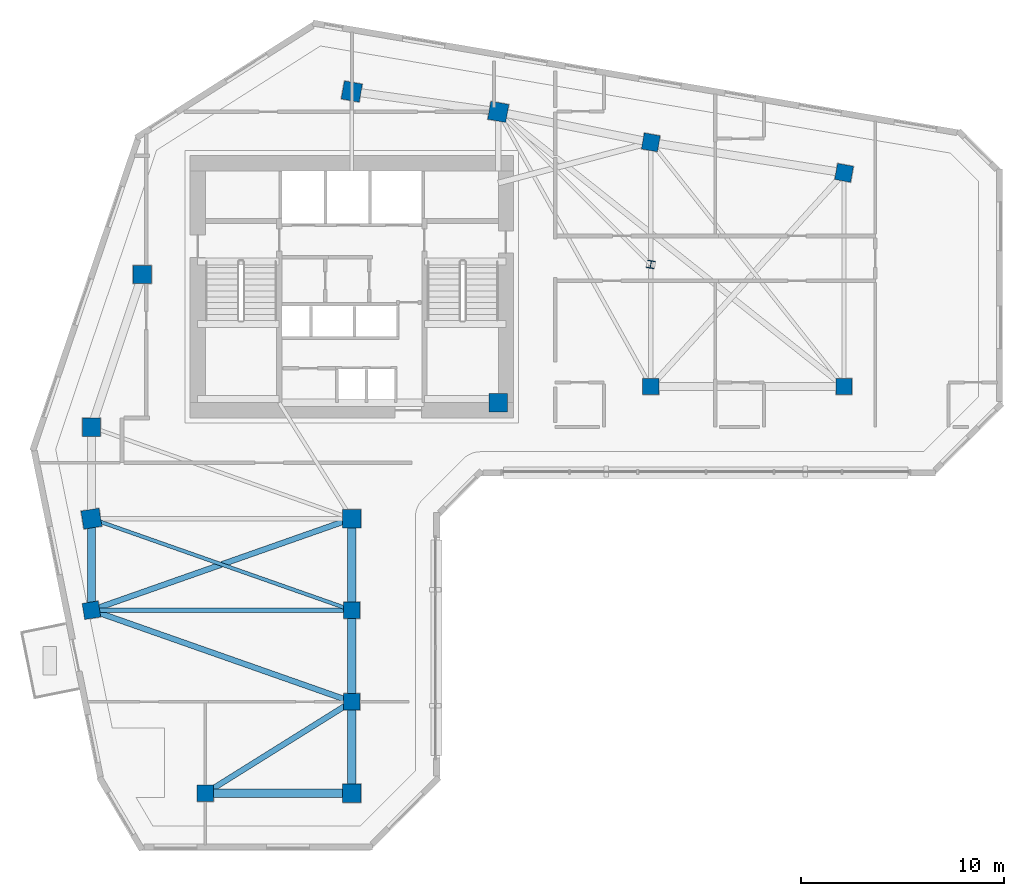
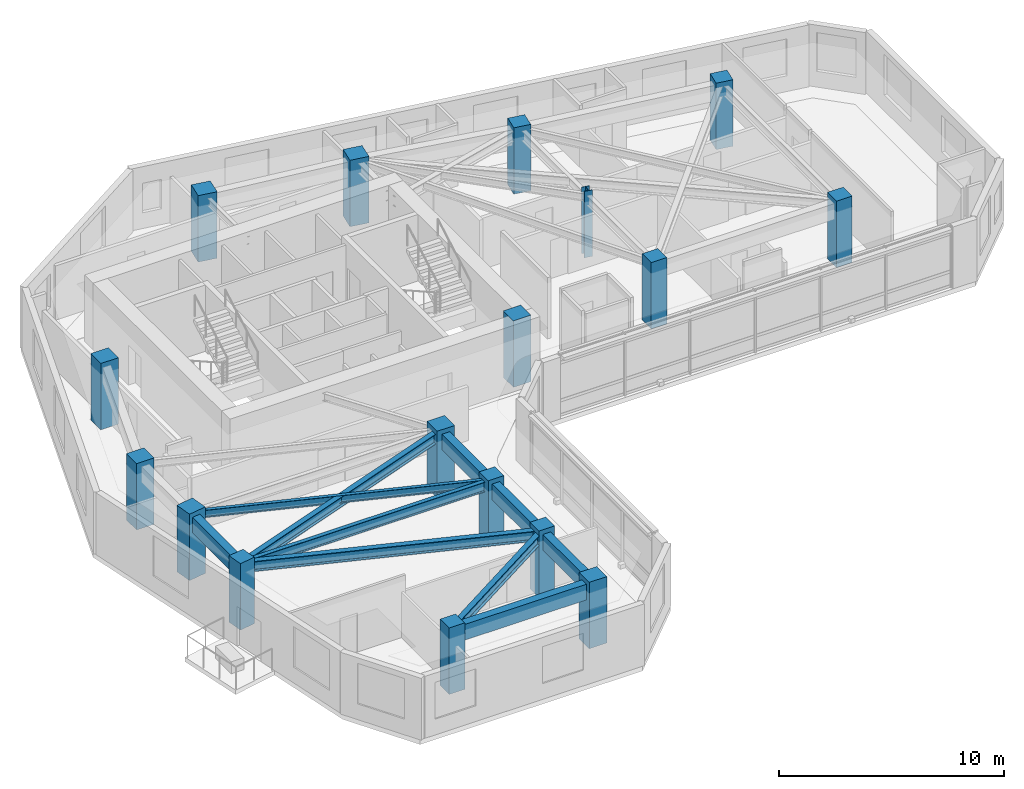
# One storey, part 1 of 11: 17 columns, 10 beams.
"""IFC4 building model written with IfcOpenShell, lengths in metres."""

import ifcopenshell
import ifcopenshell.guid

model = None  # the IFC model being written
_history = None  # IfcOwnerHistory: only IFC2X3 demands one
_inside = {}  # id of a spatial element -> (the spatial element, [elements in it])
_under = {}  # id of a project, library or spatial element -> (it, [spatial elements below it])
_declared = {}  # id of a project -> (the project, [libraries it declares])
_typed = {}  # id of a type object -> (the type object, [elements of that type])
_made_of = {}  # id of a material, layer set ... -> (it, [elements and type objects made of it])


def new_model(schema):
    """Start an empty IFC model of exactly this schema.

    Asked for "IFC4X3", IfcOpenShell would pick the latest addendum, in which some entities
    have other attributes; the version numbers below select the first issue.
    IFC2X3 requires an IfcOwnerHistory on every rooted entity: one is made here for all.
    """
    global model, _history
    if schema == "IFC4X3":
        model = ifcopenshell.file(schema_version=(4, 3, 0, 0))
    else:
        model = ifcopenshell.file(schema=schema)
    _inside.clear()
    _under.clear()
    _declared.clear()
    _typed.clear()
    _made_of.clear()
    _history = None
    if model.schema == "IFC2X3":
        org = make("IfcOrganization", Name="unknown")
        user = make(
            "IfcPersonAndOrganization",
            ThePerson=make("IfcPerson", FamilyName="unknown"),
            TheOrganization=org,
        )
        app = make(
            "IfcApplication",
            ApplicationDeveloper=org,
            Version="unknown",
            ApplicationFullName="unknown",
            ApplicationIdentifier="unknown",
        )
        _history = make(
            "IfcOwnerHistory",
            OwningUser=user,
            OwningApplication=app,
            ChangeAction="ADDED",
            CreationDate=0,
        )
    return model


def make(cls, **values):
    """One entity of the class cls with the attributes given. An attribute that is None is left unset."""
    return model.create_entity(
        cls, **{name: value for name, value in values.items() if value is not None}
    )


def rooted(cls, **values):
    """An entity with a GlobalId (a new one), such as an element, a storey or a relation."""
    return make(cls, GlobalId=ifcopenshell.guid.new(), OwnerHistory=_history, **values)


def si_unit(unit_type, name, prefix=None):
    """IfcSIUnit, for example si_unit("LENGTHUNIT", "METRE", prefix="MILLI")."""
    return make("IfcSIUnit", UnitType=unit_type, Prefix=prefix, Name=name)


def assignment(units):
    """IfcUnitAssignment: the units of a project."""
    return None if units is None else make("IfcUnitAssignment", Units=units)


def point(xyz):
    """IfcCartesianPoint."""
    return None if xyz is None else make("IfcCartesianPoint", Coordinates=xyz)


def direction(xyz):
    """IfcDirection."""
    return None if xyz is None else make("IfcDirection", DirectionRatios=xyz)


def frame(location, z_axis=None, x_axis=None):
    """IfcAxis2Placement3D, a coordinate frame: its origin and axes. An axis left out is left unset."""
    return make(
        "IfcAxis2Placement3D",
        Location=point(location),
        Axis=direction(z_axis),
        RefDirection=direction(x_axis),
    )


def frame_2d(location, x_axis=None):
    """IfcAxis2Placement2D, a coordinate frame in the plane: its origin and x axis."""
    return make(
        "IfcAxis2Placement2D", Location=point(location), RefDirection=direction(x_axis)
    )


def origin():
    """The frame at (0, 0, 0) with its axes left unset."""
    return frame((0.0, 0.0, 0.0))


def origin_2d():
    """The frame at (0, 0) in the plane with its x axis left unset."""
    return frame_2d((0.0, 0.0))


def place(relative_to, where):
    """IfcLocalPlacement: puts the frame where relative to a parent placement (None: the world)."""
    return make(
        "IfcLocalPlacement", PlacementRelTo=relative_to, RelativePlacement=where
    )


def context(
    kind, dimensions, precision=None, world=None, true_north=None, identifier=None
):
    """IfcGeometricRepresentationContext, for example the 3D "Model" context."""
    return make(
        "IfcGeometricRepresentationContext",
        ContextIdentifier=identifier,
        ContextType=kind,
        CoordinateSpaceDimension=dimensions,
        Precision=precision,
        WorldCoordinateSystem=world,
        TrueNorth=true_north,
    )


def subcontext(parent, identifier, kind, view, scale=None):
    """IfcGeometricRepresentationSubContext, for example "Body" below "Model"."""
    return make(
        "IfcGeometricRepresentationSubContext",
        ContextIdentifier=identifier,
        ContextType=kind,
        ParentContext=parent,
        TargetScale=scale,
        TargetView=view,
    )


def project(units=None, contexts=None):
    """IfcProject with its units and contexts."""
    return rooted(
        "IfcProject",
        Name="project",
        RepresentationContexts=contexts,
        UnitsInContext=assignment(units),
    )


def spatial(cls, under=None, at=None, **own):
    """A site, building, storey or space (cls), placed at a placement, below another one or the project."""
    s = rooted(cls, ObjectPlacement=at, **own)
    if under is not None:
        _under.setdefault(under.id(), (under, []))[1].append(s)
    return s


def profile(cls, at=None, kind="AREA", **sizes):
    """A parametric profile (cls). Its sizes go by their IFC names, for example OverallWidth=200.0."""
    return make(cls, ProfileType=kind, Position=at, **sizes)


def rectangle(**sizes):
    """IfcRectangleProfileDef."""
    return profile("IfcRectangleProfileDef", **sizes)


def i_section(**sizes):
    """IfcIShapeProfileDef."""
    return profile("IfcIShapeProfileDef", **sizes)


def extrude(swept, where, along, depth):
    """IfcExtrudedAreaSolid: the profile swept, set in the frame where, extruded along a direction by depth."""
    return make(
        "IfcExtrudedAreaSolid",
        SweptArea=swept,
        Position=where,
        ExtrudedDirection=direction(along),
        Depth=depth,
    )


def shape(context_of_items, identifier, shape_type, items):
    """IfcShapeRepresentation: the items that make up one representation, for example the "Body"."""
    return make(
        "IfcShapeRepresentation",
        ContextOfItems=context_of_items,
        RepresentationIdentifier=identifier,
        RepresentationType=shape_type,
        Items=items,
    )


def source(mapping_origin, context_of_items, identifier, shape_type, items):
    """IfcRepresentationMap: a shape defined once, which mapped items show again and again."""
    return make(
        "IfcRepresentationMap",
        MappingOrigin=mapping_origin,
        MappedRepresentation=shape(context_of_items, identifier, shape_type, items),
    )


def transform(
    local_origin,
    x_axis=None,
    y_axis=None,
    z_axis=None,
    scale=None,
    scale2=None,
    scale3=None,
    uniform=True,
):
    """IfcCartesianTransformationOperator3D, or its non-uniform kind. x_axis, y_axis, z_axis: its Axis1, 2, 3."""
    if uniform:
        return make(
            "IfcCartesianTransformationOperator3D",
            Axis1=direction(x_axis),
            Axis2=direction(y_axis),
            LocalOrigin=point(local_origin),
            Scale=scale,
            Axis3=direction(z_axis),
        )
    return make(
        "IfcCartesianTransformationOperator3DnonUniform",
        Axis1=direction(x_axis),
        Axis2=direction(y_axis),
        LocalOrigin=point(local_origin),
        Scale=scale,
        Axis3=direction(z_axis),
        Scale2=scale2,
        Scale3=scale3,
    )


def mapped(mapping_source, mapping_target):
    """IfcMappedItem: shows the shape of a source again, moved by a transform."""
    return make(
        "IfcMappedItem", MappingSource=mapping_source, MappingTarget=mapping_target
    )


def material(Name=None, Category=None):
    """IfcMaterial."""
    return make("IfcMaterial", Name=Name, Category=Category)


def material_profile(
    of_material, cross_section, Name=None, Category=None, Priority=None
):
    """IfcMaterialProfile: a cross section and its material."""
    return make(
        "IfcMaterialProfile",
        Name=Name,
        Material=of_material,
        Profile=cross_section,
        Priority=Priority,
        Category=Category,
    )


def profile_set(profiles, Name=None, composite=None):
    """IfcMaterialProfileSet."""
    return make(
        "IfcMaterialProfileSet",
        Name=Name,
        MaterialProfiles=profiles,
        CompositeProfile=composite,
    )


def made_of(thing, what):
    """Note that an element or type object is made of a material, layer set ...; save() writes the relation."""
    if what is not None:
        _made_of.setdefault(what.id(), (what, []))[1].append(thing)
    return thing


def type_object(cls, material=None, **own):
    """A type object (cls), such as IfcWallType, which elements share."""
    return made_of(rooted(cls, **own), material)


def element(
    cls,
    number,
    at=None,
    inside=None,
    cuts=None,
    type_object=None,
    material=None,
    context=None,
    identifier="Body",
    shape_type=None,
    held_by="IfcProductDefinitionShape",
    body=None,
    shapes=None,
    **own,
):
    """One element of the class cls, such as IfcWall. Its Tag is "e" and its number.

    at: its placement. inside: the storey or other place that contains it. cuts: it is an
    opening in that element (IfcRelVoidsElement). A single representation is given by context,
    identifier, shape_type and body (its items); several are given by shapes. held_by: the class
    of the entity that holds the representations. save() writes the other relations.
    """
    e = rooted(cls, Tag="e%d" % number, ObjectPlacement=at, **own)
    if body is not None:
        shapes = [shape(context, identifier, shape_type, body)]
    if shapes is not None:
        e.Representation = make(held_by, Representations=shapes)
    if inside is not None:
        _inside.setdefault(inside.id(), (inside, []))[1].append(e)
    if cuts is not None:
        rooted(
            "IfcRelVoidsElement", RelatingBuildingElement=cuts, RelatedOpeningElement=e
        )
    if type_object is not None:
        _typed.setdefault(type_object.id(), (type_object, []))[1].append(e)
    return made_of(e, material)


def aggregate(whole, parts):
    """IfcRelAggregates: a whole, such as a stair, and the parts it consists of."""
    return rooted("IfcRelAggregates", RelatingObject=whole, RelatedObjects=parts)


def save(model, path):
    """Write the relations noted so far, then the file.

    IfcRelAggregates (storeys below a building ...), IfcRelContainedInSpatialStructure (elements
    in a storey), IfcRelDefinesByType, IfcRelAssociatesMaterial and IfcRelDeclares: one each for
    every whole, place, type object, material and project.
    """
    for whole, parts in _under.values():
        aggregate(whole, parts)
    for where, things in _inside.values():
        rooted(
            "IfcRelContainedInSpatialStructure",
            RelatedElements=things,
            RelatingStructure=where,
        )
    for kind, things in _typed.values():
        rooted("IfcRelDefinesByType", RelatedObjects=things, RelatingType=kind)
    for what, things in _made_of.values():
        rooted("IfcRelAssociatesMaterial", RelatedObjects=things, RelatingMaterial=what)
    for by, libraries in _declared.values():
        rooted("IfcRelDeclares", RelatingContext=by, RelatedDefinitions=libraries)
    model.write(path)


model = new_model("IFC4")

# Units and contexts
model_context = context("Model", 3, precision=1e-05, world=origin(), true_north=direction((0.0, 1.0)))
body_context = subcontext(model_context, "Body", "Model", "MODEL_VIEW")
ifc_project = project(units=[si_unit("LENGTHUNIT", "METRE"), si_unit("AREAUNIT", "SQUARE_METRE"), si_unit("VOLUMEUNIT", "CUBIC_METRE"), si_unit("PLANEANGLEUNIT", "RADIAN"), si_unit("MASSUNIT", "GRAM", prefix="KILO")], contexts=[model_context])

# Site, building, storey
site_placement = place(None, origin())
site = spatial("IfcSite", under=ifc_project, at=site_placement, CompositionType="ELEMENT")
building_placement = place(site_placement, origin())
building = spatial("IfcBuilding", under=site, at=building_placement, Name="Calvemar Wedge Station Tower", CompositionType="ELEMENT")
storey_placement = place(building_placement, frame((0.0, 0.0, 157.39990234375)))
storey = spatial("IfcBuildingStorey", under=building, at=storey_placement, Name="L39", CompositionType="ELEMENT", Elevation=157.39990234375)

# Columns
ifc_material_1 = material(Name="Concrete C60", Category="concrete")
ifc_material_profile_1 = material_profile(ifc_material_1, rectangle(XDim=0.89990234375, YDim=0.89990234375, at=origin_2d()), Name="RC900x900")
ifc_profile_set_1 = profile_set([ifc_material_profile_1], Name="Concrete C60")
column_type_1 = type_object("IfcColumnType", Name="COL-C5-900", PredefinedType="COLUMN", material=ifc_profile_set_1)
shared_shape_1 = source(origin(), body_context, "Body", "SweptSolid", [
    extrude(rectangle(XDim=0.89990234375, YDim=0.89990234375, at=origin_2d()), origin(), (0.0, 0.0, 1.0), 3.60009765625),
])
for number, where, z_axis, x_axis, name in (
    (1, (11.0, 33.0, 0.0), (0.0, 0.0, 1.0), (1.0, 0.0, 0.0), "Storey L39 Column T-NW1"),
    (2, (13.5, 40.5, 0.0), (0.0, 0.0, 1.0), (1.0, 0.0, 0.0), "Storey L39 Column T-NW2"),
    (3, (23.800048828125, 49.5, 0.0), (0.0, 0.0, 1.0), (0.984195607969, -0.17708474032, 0.0), "Storey L39 Column T-N1"),
    (4, (31.0, 48.5, 0.0), (0.0, 0.0, 1.0), (0.984195607969, -0.17708474032, 0.0), "Storey L39 Column T-N2"),
    (5, (31.0, 34.199951171875, 0.0), (0.0, 0.0, 1.0), (1.0, 0.0, 0.0), "Storey L39 Column T-NL1"),
    (6, (11.0, 28.5, 0.0), (0.0, 0.0, 1.0), (0.158158067254, -0.987413806751, 0.0), "Storey L39 Column T-SW1"),
    (7, (23.800048828125, 28.5, 0.0), (0.0, 0.0, 1.0), (1.0, 0.0, 0.0), "Storey L39 Column T-SE1"),
    (8, (23.800048828125, 15.0, 0.0), (0.0, 0.0, 1.0), (1.0, 0.0, 0.0), "Storey L39 Column T-SE4"),
):
    element("IfcColumn", number, at=place(storey_placement, frame(where, z_axis=z_axis, x_axis=x_axis)), inside=storey, type_object=column_type_1, Name=name, PredefinedType="COLUMN", context=body_context, shape_type="MappedRepresentation", body=[
        mapped(shared_shape_1, transform((0.0, 0.0, 0.0), scale=1.0)),
    ])
ifc_material_2 = material(Name="Concrete C50", Category="concrete")
ifc_material_profile_2 = material_profile(ifc_material_2, rectangle(XDim=0.800048828125, YDim=0.800048828125, at=origin_2d()), Name="RC800x800")
ifc_profile_set_2 = profile_set([ifc_material_profile_2], Name="Concrete C50")
column_type_2 = type_object("IfcColumnType", Name="COL-C6-800", PredefinedType="COLUMN", material=ifc_profile_set_2)
shared_shape_2 = source(origin(), body_context, "Body", "SweptSolid", [
    extrude(rectangle(XDim=0.800048828125, YDim=0.800048828125, at=origin_2d()), origin(), (0.0, 0.0, 1.0), 3.60009765625),
])
for number, where, z_axis, x_axis, name in (
    (9, (38.5, 47.0, 0.0), (0.0, 0.0, 1.0), (0.984195607969, -0.17708474032, 0.0), "Storey L39 Column T-NU3"),
    (10, (48.0, 45.5, 0.0), (0.0, 0.0, 1.0), (0.984195607969, -0.17708474032, 0.0), "Storey L39 Column T-NU4"),
    (11, (38.5, 35.0, 0.0), (0.0, 0.0, 1.0), (1.0, 0.0, 0.0), "Storey L39 Column T-NL2"),
    (12, (48.0, 35.0, 0.0), (0.0, 0.0, 1.0), (1.0, 0.0, 0.0), "Storey L39 Column T-NL3"),
    (13, (11.0, 24.0, 0.0), (0.0, 0.0, 1.0), (0.158158067254, -0.987413806751, 0.0), "Storey L39 Column T-SW2"),
    (14, (23.800048828125, 24.0, 0.0), (0.0, 0.0, 1.0), (1.0, 0.0, 0.0), "Storey L39 Column T-SE2"),
    (15, (23.800048828125, 19.5, 0.0), (0.0, 0.0, 1.0), (1.0, 0.0, 0.0), "Storey L39 Column T-SE3"),
    (16, (16.60009765625, 15.0, 0.0), (0.0, 0.0, 1.0), (1.0, 0.0, 0.0), "Storey L39 Column T-SM1"),
):
    element("IfcColumn", number, at=place(storey_placement, frame(where, z_axis=z_axis, x_axis=x_axis)), inside=storey, type_object=column_type_2, Name=name, PredefinedType="COLUMN", context=body_context, shape_type="MappedRepresentation", body=[
        mapped(shared_shape_2, transform((0.0, 0.0, 0.0), scale=1.0)),
    ])
ifc_material_3 = material(Name="Structural steel ASTM A572 Grade 50", Category="steel")
ifc_material_profile_3 = material_profile(ifc_material_3, i_section(OverallWidth=0.3740234375, OverallDepth=0.3720703125, WebThickness=0.016357421875, FlangeThickness=0.026123046875, FilletRadius=0.014892578125, at=origin_2d()), Name="W360x196")
ifc_profile_set_3 = profile_set([ifc_material_profile_3], Name="Structural steel ASTM A572 Grade 50")
column_type_3 = type_object("IfcColumnType", Name="COL-STL-W360", PredefinedType="COLUMN", material=ifc_profile_set_3)
shared_shape_3 = source(origin(), body_context, "Body", "SweptSolid", [
    extrude(i_section(OverallWidth=0.3740234375, OverallDepth=0.3720703125, WebThickness=0.016357421875, FlangeThickness=0.026123046875, FilletRadius=0.014892578125, at=origin_2d()), origin(), (0.0, 0.0, 1.0), 3.60009765625),
])
column_placement = place(storey_placement, frame((38.5, 41.0, 0.0), z_axis=(0.0, 0.0, 1.0), x_axis=(0.984195607969, -0.17708474032, 0.0)))
element("IfcColumn", 17, at=column_placement, inside=storey, type_object=column_type_3, Name="Storey L39 Column T-NTIP-B", PredefinedType="COLUMN", context=body_context, shape_type="MappedRepresentation", body=[
    mapped(shared_shape_3, transform((0.0, 0.0, 0.0), scale=1.0)),
])

# Beams
ifc_material_profile_4 = material_profile(ifc_material_1, rectangle(XDim=0.39990234375, YDim=0.85009765625, at=origin_2d()), Name="RC400x850")
ifc_profile_set_4 = profile_set([ifc_material_profile_4], Name="Concrete C60")
beam_type_1 = type_object("IfcBeamType", Name="BM-SP1-850", PredefinedType="SPANDREL", material=ifc_profile_set_4)
shared_shape_4 = source(origin(), body_context, "Body", "SweptSolid", [
    extrude(rectangle(XDim=0.39990234375, YDim=0.85009765625, at=origin_2d()), origin(), (0.0, 0.0, 1.0), 4.5),
])
for number, where, z_axis, x_axis, name in (
    (18, (11.0, 28.5, 2.925048828125), (0.0, -1.0, 0.0), (1.0, 0.0, 0.0), "Storey L39 Spandrel T-SW1-T-SW2"),
    (19, (23.800048828125, 28.5, 2.925048828125), (0.0, -1.0, 0.0), (1.0, 0.0, 0.0), "Storey L39 Spandrel T-SE1-T-SE2"),
    (20, (23.800048828125, 24.0, 2.925048828125), (0.0, -1.0, 0.0), (1.0, 0.0, 0.0), "Storey L39 Spandrel T-SE2-T-SE3"),
    (21, (23.800048828125, 19.5, 2.925048828125), (0.0, -1.0, 0.0), (1.0, 0.0, 0.0), "Storey L39 Spandrel T-SE3-T-SE4"),
):
    element("IfcBeam", number, at=place(storey_placement, frame(where, z_axis=z_axis, x_axis=x_axis)), inside=storey, type_object=beam_type_1, Name=name, PredefinedType="SPANDREL", context=body_context, shape_type="MappedRepresentation", body=[
        mapped(shared_shape_4, transform((0.0, 0.0, 0.0), scale=1.0)),
    ])
shared_shape_5 = source(origin(), body_context, "Body", "SweptSolid", [
    extrude(rectangle(XDim=0.39990234375, YDim=0.85009765625, at=origin_2d()), origin(), (0.0, 0.0, 1.0), 7.199951171875),
])
beam_1_placement = place(storey_placement, frame((16.60009765625, 15.0, 2.925048828125), z_axis=(1.0, 0.0, 0.0), x_axis=(0.0, 1.0, 0.0)))
element("IfcBeam", 22, at=beam_1_placement, inside=storey, type_object=beam_type_1, Name="Storey L39 Spandrel T-SM1-T-SE4", PredefinedType="SPANDREL", context=body_context, shape_type="MappedRepresentation", body=[
    mapped(shared_shape_5, transform((0.0, 0.0, 0.0), scale=1.0)),
])
ifc_material_profile_5 = material_profile(ifc_material_3, i_section(OverallWidth=0.177978515625, OverallDepth=0.406982421875, WebThickness=0.0078125, FlangeThickness=0.0126953125, FilletRadius=0.010009765625, at=origin_2d()), Name="W410x60")
ifc_profile_set_5 = profile_set([ifc_material_profile_5], Name="Structural steel ASTM A572 Grade 50")
beam_type_2 = type_object("IfcBeamType", Name="BM-J3-W410", PredefinedType="JOIST", material=ifc_profile_set_5)
shared_shape_6 = source(origin(), body_context, "Body", "SweptSolid", [
    extrude(i_section(OverallWidth=0.177978515625, OverallDepth=0.406982421875, WebThickness=0.0078125, FlangeThickness=0.0126953125, FilletRadius=0.010009765625, at=origin_2d()), origin(), (0.0, 0.0, 1.0), 13.568115234375),
])
beam_2_placement = place(storey_placement, frame((11.0, 28.5, 3.146484375), z_axis=(0.943398221169, -0.331662171939, 0.0), x_axis=(0.331662171939, 0.943398221169, 0.0)))
element("IfcBeam", 23, at=beam_2_placement, inside=storey, type_object=beam_type_2, Name="Storey L39 Floor Beam T-SW1-T-SE2", PredefinedType="JOIST", context=body_context, shape_type="MappedRepresentation", body=[
    mapped(shared_shape_6, transform((0.0, 0.0, 0.0), scale=1.0)),
])
ifc_material_profile_6 = material_profile(ifc_material_3, i_section(OverallWidth=0.279052734375, OverallDepth=0.553955078125, WebThickness=0.017578125, FlangeThickness=0.029541015625, FilletRadius=0.014892578125, at=origin_2d()), Name="W530x196")
ifc_profile_set_6 = profile_set([ifc_material_profile_6], Name="Structural steel ASTM A572 Grade 50")
beam_type_3 = type_object("IfcBeamType", Name="BM-SB3-W530H", PredefinedType="BEAM", material=ifc_profile_set_6)
shared_shape_7 = source(origin(), body_context, "Body", "SweptSolid", [
    extrude(i_section(OverallWidth=0.279052734375, OverallDepth=0.553955078125, WebThickness=0.017578125, FlangeThickness=0.029541015625, FilletRadius=0.014892578125, at=origin_2d()), origin(), (0.0, 0.0, 1.0), 13.568115234375),
])
for number, where, z_axis, x_axis, name in (
    (24, (23.800048828125, 28.5, 3.072998046875), (-0.943398221169, -0.331662171939, 0.0), (0.331662171939, -0.943398221169, 0.0), "Storey L39 Floor Beam T-SE1-T-SW2"),
    (25, (11.0, 24.0, 3.072998046875), (0.943398221169, -0.331662171939, 0.0), (0.331662171939, 0.943398221169, 0.0), "Storey L39 Floor Beam T-SW2-T-SE3"),
):
    element("IfcBeam", number, at=place(storey_placement, frame(where, z_axis=z_axis, x_axis=x_axis)), inside=storey, type_object=beam_type_3, Name=name, PredefinedType="BEAM", context=body_context, shape_type="MappedRepresentation", body=[
        mapped(shared_shape_7, transform((0.0, 0.0, 0.0), scale=1.0)),
    ])
shared_shape_8 = source(origin(), body_context, "Body", "SweptSolid", [
    extrude(i_section(OverallWidth=0.279052734375, OverallDepth=0.553955078125, WebThickness=0.017578125, FlangeThickness=0.029541015625, FilletRadius=0.014892578125, at=origin_2d()), origin(), (0.0, 0.0, 1.0), 8.490478515625),
])
beam_3_placement = place(storey_placement, frame((23.800048828125, 19.5, 3.072998046875), z_axis=(-0.847996688584, -0.530001524668, 0.0), x_axis=(0.530001524668, -0.847996688584, 0.0)))
element("IfcBeam", 26, at=beam_3_placement, inside=storey, type_object=beam_type_3, Name="Storey L39 Floor Beam T-SE3-T-SM1", PredefinedType="BEAM", context=body_context, shape_type="MappedRepresentation", body=[
    mapped(shared_shape_8, transform((0.0, 0.0, 0.0), scale=1.0)),
])
ifc_material_profile_7 = material_profile(ifc_material_3, i_section(OverallWidth=0.2109375, OverallDepth=0.5390625, WebThickness=0.01171875, FlangeThickness=0.018798828125, FilletRadius=0.012939453125, at=origin_2d()), Name="W530x109")
ifc_profile_set_7 = profile_set([ifc_material_profile_7], Name="Structural steel ASTM A572 Grade 50")
beam_type_4 = type_object("IfcBeamType", Name="BM-SB4-W530", PredefinedType="BEAM", material=ifc_profile_set_7)
shared_shape_9 = source(origin(), body_context, "Body", "SweptSolid", [
    extrude(i_section(OverallWidth=0.2109375, OverallDepth=0.5390625, WebThickness=0.01171875, FlangeThickness=0.018798828125, FilletRadius=0.012939453125, at=origin_2d()), origin(), (0.0, 0.0, 1.0), 12.800048828125),
])
beam_4_placement = place(storey_placement, frame((11.0, 24.0, 3.08056640625), z_axis=(1.0, 0.0, 0.0), x_axis=(0.0, 1.0, 0.0)))
element("IfcBeam", 27, at=beam_4_placement, inside=storey, type_object=beam_type_4, Name="Storey L39 Floor Beam T-SW2-T-SE2", PredefinedType="BEAM", context=body_context, shape_type="MappedRepresentation", body=[
    mapped(shared_shape_9, transform((0.0, 0.0, 0.0), scale=1.0)),
])

save(model, "model.ifc")
